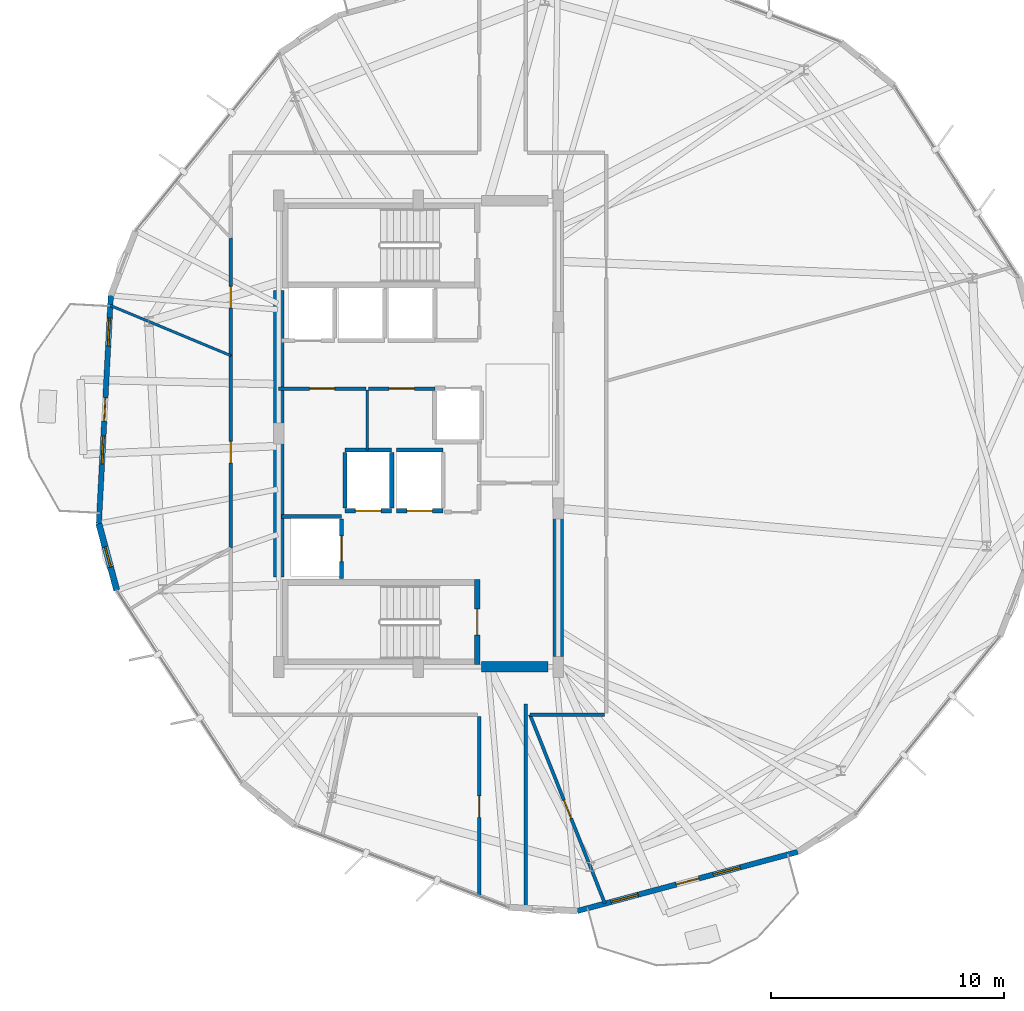
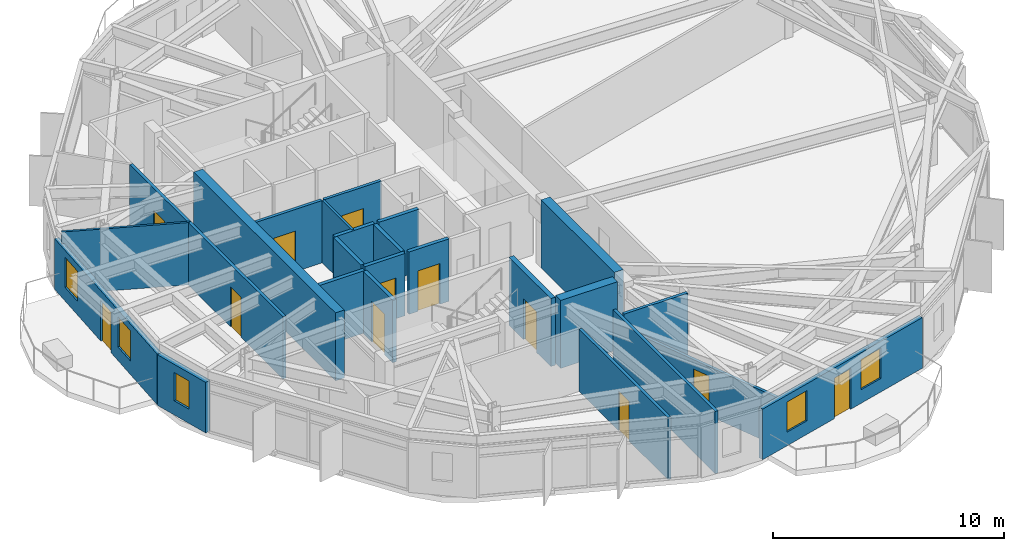
# One storey, part 24 of 29: 25 walls, 12 doors, 5 windows, 17 openings.
"""IFC4 building model written with IfcOpenShell, lengths in metres."""

from ifc_helpers import new_model, si_unit, direction, frame, frame_2d, origin, place, context, subcontext, project, spatial, rectangle, extrude, material, layer, layer_set, type_object, element, fill, save


model = new_model("IFC4")

# Units and contexts
model_context = context("Model", 3, precision=1e-05, world=origin(), true_north=direction((0.0, 1.0)))
body_context = subcontext(model_context, "Body", "Model", "MODEL_VIEW")
ifc_project = project(units=[si_unit("LENGTHUNIT", "METRE"), si_unit("AREAUNIT", "SQUARE_METRE"), si_unit("VOLUMEUNIT", "CUBIC_METRE"), si_unit("PLANEANGLEUNIT", "RADIAN"), si_unit("MASSUNIT", "GRAM", prefix="KILO")], contexts=[model_context])

# Site, building, storey
site_placement = place(None, origin())
site = spatial("IfcSite", under=ifc_project, at=site_placement, CompositionType="ELEMENT")
building_placement = place(site_placement, origin())
building = spatial("IfcBuilding", under=site, at=building_placement, Name="Soratama Intermodal Tower", CompositionType="ELEMENT")
storey_placement = place(building_placement, frame((0.0, 0.0, 219.39990234375)))
storey = spatial("IfcBuildingStorey", under=building, at=storey_placement, Name="L55", CompositionType="ELEMENT", Elevation=219.39990234375)

# Wall, openings, door, windows
ifc_material_1 = material(Name="Concrete f'c 42 MPa", Category="concrete")
ifc_layer_1 = layer(ifc_material_1, 0.22998046875)
ifc_layer_set_1 = layer_set([ifc_layer_1], Name="Concrete f'c 42 MPa")
wall_type_1 = type_object("IfcWallType", Name="EW-BAL-230", PredefinedType="SOLIDWALL", material=ifc_layer_set_1)
wall_1_placement = place(storey_placement, frame((25.406494140625, 30.932373046875, 0.0), z_axis=(0.0, 0.0, 1.0), x_axis=(-0.052328646258, -0.998629917828, 0.0)))
wall_1 = element("IfcWall", 1, at=wall_1_placement, inside=storey, type_object=wall_type_1, Name="L55 Terrace Wall F04", PredefinedType="SOLIDWALL", context=body_context, shape_type="SweptSolid", body=[
    extrude(rectangle(XDim=9.797607421875, YDim=0.22998046875, at=frame_2d((4.89892578125, 0.0))), origin(), (0.0, 0.0, 1.0), 2.67919921875),
])
opening_1_placement = place(wall_1_placement, frame((4.398681640625, 0.0, 0.0)))
opening_1 = element("IfcOpeningElement", 2, at=opening_1_placement, cuts=wall_1, Name="Opening ED-2", PredefinedType="OPENING", context=body_context, shape_type="SweptSolid", body=[
    extrude(rectangle(XDim=1.0, YDim=2.14990234375, at=frame_2d((0.5, 1.074951171875))), frame((0.0, 0.125, 0.0), z_axis=(0.0, -1.0, 0.0), x_axis=(1.0, 0.0, 0.0)), (0.0, 0.0, 1.0), 0.25),
])
opening_2_placement = place(wall_1_placement, frame((0.9697265625, 0.0, 0.719970703125)))
opening_2 = element("IfcOpeningElement", 3, at=opening_2_placement, cuts=wall_1, Name="Opening WN-2", PredefinedType="OPENING", context=body_context, shape_type="SweptSolid", body=[
    extrude(rectangle(XDim=1.199951171875, YDim=1.60009765625, at=frame_2d((0.60009765625, 0.800048828125))), frame((0.0, 0.125, 0.0), z_axis=(0.0, -1.0, 0.0), x_axis=(1.0, 0.0, 0.0)), (0.0, 0.0, 1.0), 0.25),
])
opening_3_placement = place(wall_1_placement, frame((6.038818359375, 0.0, 0.719970703125)))
opening_3 = element("IfcOpeningElement", 4, at=opening_3_placement, cuts=wall_1, Name="Opening WN-2", PredefinedType="OPENING", context=body_context, shape_type="SweptSolid", body=[
    extrude(rectangle(XDim=1.199951171875, YDim=1.60009765625, at=frame_2d((0.60009765625, 0.800048828125))), frame((0.0, 0.125, 0.0), z_axis=(0.0, -1.0, 0.0), x_axis=(1.0, 0.0, 0.0)), (0.0, 0.0, 1.0), 0.25),
])
ifc_material_2 = material(Name="Double-glazed aluminium door", Category="aluminium")
door_type_1 = type_object("IfcDoorType", Name="DR-BAL-1000", OperationType="NOTDEFINED", PredefinedType="DOOR", material=ifc_material_2)
door_1_placement = place(opening_1_placement, origin())
door_1 = element("IfcDoor", 5, at=door_1_placement, inside=storey, type_object=door_type_1, Name="L55 Balcony Door F04", OperationType="SINGLE_SWING_RIGHT", OverallHeight=2.14990234375, OverallWidth=1.0, PredefinedType="DOOR", context=body_context, shape_type="SweptSolid", body=[
    extrude(rectangle(XDim=1.0, YDim=2.14990234375, at=frame_2d((0.5, 1.074951171875))), frame((0.0, 0.02490234375, 0.0), z_axis=(0.0, -1.0, 0.0), x_axis=(1.0, 0.0, 0.0)), (0.0, 0.0, 1.0), 0.050048828125),
])
fill(opening_1, door_1)
ifc_material_3 = material(Name="Double-glazed aluminium window", Category="aluminium")
window_type_1 = type_object("IfcWindowType", Name="WN-FAC-1200", PartitioningType="SINGLE_PANEL", PredefinedType="WINDOW", material=ifc_material_3)
window_1_placement = place(opening_2_placement, origin())
window_1 = element("IfcWindow", 6, at=window_1_placement, inside=storey, type_object=window_type_1, Name="L55 Window A F04", OverallHeight=1.60009765625, OverallWidth=1.199951171875, PartitioningType="SINGLE_PANEL", PredefinedType="WINDOW", context=body_context, shape_type="SweptSolid", body=[
    extrude(rectangle(XDim=1.199951171875, YDim=1.60009765625, at=frame_2d((0.60009765625, 0.800048828125))), frame((0.0, 0.030029296875, 0.0), z_axis=(0.0, -1.0, 0.0), x_axis=(1.0, 0.0, 0.0)), (0.0, 0.0, 1.0), 0.06005859375),
])
fill(opening_2, window_1)
window_2_placement = place(opening_3_placement, origin())
window_2 = element("IfcWindow", 7, at=window_2_placement, inside=storey, type_object=window_type_1, Name="L55 Window B F04", OverallHeight=1.60009765625, OverallWidth=1.199951171875, PartitioningType="SINGLE_PANEL", PredefinedType="WINDOW", context=body_context, shape_type="SweptSolid", body=[
    extrude(rectangle(XDim=1.199951171875, YDim=1.60009765625, at=frame_2d((0.60009765625, 0.800048828125))), frame((0.0, 0.030029296875, 0.0), z_axis=(0.0, -1.0, 0.0), x_axis=(1.0, 0.0, 0.0)), (0.0, 0.0, 1.0), 0.06005859375),
])
fill(opening_3, window_2)

wall_2_placement = place(storey_placement, frame((45.41259765625, 4.5322265625, 0.0), z_axis=(0.0, 0.0, 1.0), x_axis=(0.965924471327, 0.258824101839, 0.0)))
wall_2 = element("IfcWall", 8, at=wall_2_placement, inside=storey, type_object=wall_type_1, Name="L55 Terrace Wall F07", PredefinedType="SOLIDWALL", context=body_context, shape_type="SweptSolid", body=[
    extrude(rectangle(XDim=9.7978515625, YDim=0.22998046875, at=frame_2d((4.89892578125, 0.0))), origin(), (0.0, 0.0, 1.0), 2.67919921875),
])
opening_4_placement = place(wall_2_placement, frame((4.398681640625, 0.0, 0.0)))
opening_4 = element("IfcOpeningElement", 9, at=opening_4_placement, cuts=wall_2, Name="Opening ED-2", PredefinedType="OPENING", context=body_context, shape_type="SweptSolid", body=[
    extrude(rectangle(XDim=1.0, YDim=2.14990234375, at=frame_2d((0.5, 1.074951171875))), frame((0.0, 0.125, 0.0), z_axis=(0.0, -1.0, 0.0), x_axis=(1.0, 0.0, 0.0)), (0.0, 0.0, 1.0), 0.25),
])
opening_5_placement = place(wall_2_placement, frame((1.49951171875, 0.0, 0.719970703125)))
opening_5 = element("IfcOpeningElement", 10, at=opening_5_placement, cuts=wall_2, Name="Opening WN-2", PredefinedType="OPENING", context=body_context, shape_type="SweptSolid", body=[
    extrude(rectangle(XDim=1.199951171875, YDim=1.60009765625, at=frame_2d((0.60009765625, 0.800048828125))), frame((0.0, 0.125, 0.0), z_axis=(0.0, -1.0, 0.0), x_axis=(1.0, 0.0, 0.0)), (0.0, 0.0, 1.0), 0.25),
])
opening_6_placement = place(wall_2_placement, frame((6.038818359375, 0.0, 0.719970703125)))
opening_6 = element("IfcOpeningElement", 11, at=opening_6_placement, cuts=wall_2, Name="Opening WN-2", PredefinedType="OPENING", context=body_context, shape_type="SweptSolid", body=[
    extrude(rectangle(XDim=1.199951171875, YDim=1.60009765625, at=frame_2d((0.60009765625, 0.800048828125))), frame((0.0, 0.125, 0.0), z_axis=(0.0, -1.0, 0.0), x_axis=(1.0, 0.0, 0.0)), (0.0, 0.0, 1.0), 0.25),
])
door_2_placement = place(opening_4_placement, origin())
door_2 = element("IfcDoor", 12, at=door_2_placement, inside=storey, type_object=door_type_1, Name="L55 Balcony Door F07", OperationType="SINGLE_SWING_LEFT", OverallHeight=2.14990234375, OverallWidth=1.0, PredefinedType="DOOR", context=body_context, shape_type="SweptSolid", body=[
    extrude(rectangle(XDim=1.0, YDim=2.14990234375, at=frame_2d((0.5, 1.074951171875))), frame((0.0, 0.02490234375, 0.0), z_axis=(0.0, -1.0, 0.0), x_axis=(1.0, 0.0, 0.0)), (0.0, 0.0, 1.0), 0.050048828125),
])
fill(opening_4, door_2)
window_3_placement = place(opening_5_placement, origin())
window_3 = element("IfcWindow", 13, at=window_3_placement, inside=storey, type_object=window_type_1, Name="L55 Window A F07", OverallHeight=1.60009765625, OverallWidth=1.199951171875, PartitioningType="SINGLE_PANEL", PredefinedType="WINDOW", context=body_context, shape_type="SweptSolid", body=[
    extrude(rectangle(XDim=1.199951171875, YDim=1.60009765625, at=frame_2d((0.60009765625, 0.800048828125))), frame((0.0, 0.030029296875, 0.0), z_axis=(0.0, -1.0, 0.0), x_axis=(1.0, 0.0, 0.0)), (0.0, 0.0, 1.0), 0.06005859375),
])
fill(opening_5, window_3)
window_4_placement = place(opening_6_placement, origin())
window_4 = element("IfcWindow", 14, at=window_4_placement, inside=storey, type_object=window_type_1, Name="L55 Window B F07", OverallHeight=1.60009765625, OverallWidth=1.199951171875, PartitioningType="SINGLE_PANEL", PredefinedType="WINDOW", context=body_context, shape_type="SweptSolid", body=[
    extrude(rectangle(XDim=1.199951171875, YDim=1.60009765625, at=frame_2d((0.60009765625, 0.800048828125))), frame((0.0, 0.030029296875, 0.0), z_axis=(0.0, -1.0, 0.0), x_axis=(1.0, 0.0, 0.0)), (0.0, 0.0, 1.0), 0.06005859375),
])
fill(opening_6, window_4)

# Wall, opening, window
ifc_material_4 = material(Name="Concrete f'c 42 MPa", Category="concrete")
ifc_layer_2 = layer(ifc_material_4, 0.27001953125)
ifc_layer_set_2 = layer_set([ifc_layer_2], Name="Concrete f'c 42 MPa")
wall_type_2 = type_object("IfcWallType", Name="EW-CRN-270", PredefinedType="SOLIDWALL", material=ifc_layer_set_2)
wall_3_placement = place(storey_placement, frame((24.893798828125, 21.148193359375, 0.0), z_axis=(0.0, 0.0, 1.0), x_axis=(0.258825213075, -0.965924173565, 0.0)))
wall_3 = element("IfcWall", 15, at=wall_3_placement, inside=storey, type_object=wall_type_2, Name="L55 Corner Closure Wall 04", PredefinedType="SOLIDWALL", context=body_context, shape_type="SweptSolid", body=[
    extrude(rectangle(XDim=2.966552734375, YDim=0.27001953125, at=frame_2d((1.4833984375, 0.0))), origin(), (0.0, 0.0, 1.0), 2.67919921875),
])
opening_7_placement = place(wall_3_placement, frame((1.033203125, 0.0, 0.75)))
opening_7 = element("IfcOpeningElement", 16, at=opening_7_placement, cuts=wall_3, Name="Opening WN-6", PredefinedType="OPENING", context=body_context, shape_type="SweptSolid", body=[
    extrude(rectangle(XDim=0.89990234375, YDim=1.5, at=frame_2d((0.449951171875, 0.75))), frame((0.0, 0.14501953125, 0.0), z_axis=(0.0, -1.0, 0.0), x_axis=(1.0, 0.0, 0.0)), (0.0, 0.0, 1.0), 0.2900390625),
])
ifc_material_5 = material(Name="Double-glazed aluminium window", Category="aluminium")
window_type_2 = type_object("IfcWindowType", Name="WN-FAC-900", PartitioningType="SINGLE_PANEL", PredefinedType="WINDOW", material=ifc_material_5)
window_5_placement = place(opening_7_placement, origin())
window_5 = element("IfcWindow", 17, at=window_5_placement, inside=storey, type_object=window_type_2, Name="L55 Corner Window 04", OverallHeight=1.5, OverallWidth=0.89990234375, PartitioningType="SINGLE_PANEL", PredefinedType="WINDOW", context=body_context, shape_type="SweptSolid", body=[
    extrude(rectangle(XDim=0.89990234375, YDim=1.5, at=frame_2d((0.449951171875, 0.75))), frame((0.0, 0.030029296875, 0.0), z_axis=(0.0, -1.0, 0.0), x_axis=(1.0, 0.0, 0.0)), (0.0, 0.0, 1.0), 0.06005859375),
])
fill(opening_7, window_5)

# Wall, opening, door
ifc_material_6 = material(Name="Fire-rated gypsum stud partition", Category="concrete")
ifc_layer_3 = layer(ifc_material_6, 0.14990234375)
ifc_layer_set_3 = layer_set([ifc_layer_3], Name="Fire-rated gypsum stud partition")
wall_type_3 = type_object("IfcWallType", Name="IW-PART-R150", PredefinedType="PARTITIONING", material=ifc_layer_set_3)
wall_4_placement = place(storey_placement, frame((30.550048828125, 20.10595703125, 0.0), z_axis=(0.0, 0.0, 1.0), x_axis=(0.0, 1.0, 0.0)))
wall_4 = element("IfcWall", 18, at=wall_4_placement, inside=storey, type_object=wall_type_3, Name="L55 Partition W-L55-TP005", PredefinedType="PARTITIONING", context=body_context, shape_type="SweptSolid", body=[
    extrude(rectangle(XDim=8.2451171875, YDim=0.14990234375, at=frame_2d((4.12255859375, 0.0))), origin(), (0.0, 0.0, 1.0), 3.300048828125),
])
opening_8_placement = place(wall_4_placement, frame((3.64697265625, 0.0, 0.0)))
opening_8 = element("IfcOpeningElement", 19, at=opening_8_placement, cuts=wall_4, Name="Opening ID-6", PredefinedType="OPENING", context=body_context, shape_type="SweptSolid", body=[
    extrude(rectangle(XDim=0.919921875, YDim=2.1201171875, at=frame_2d((0.4599609375, 1.06005859375))), frame((0.0, 0.0849609375, 0.0), z_axis=(0.0, -1.0, 0.0), x_axis=(1.0, 0.0, 0.0)), (0.0, 0.0, 1.0), 0.169921875),
])
ifc_material_7 = material(Name="Solid hardwood acoustic door", Category="wood")
door_type_2 = type_object("IfcDoorType", Name="DR-ROOM-920", OperationType="NOTDEFINED", PredefinedType="DOOR", material=ifc_material_7)
door_3_placement = place(opening_8_placement, origin())
door_3 = element("IfcDoor", 20, at=door_3_placement, inside=storey, type_object=door_type_2, Name="L55 Door D-L55-TP003", OperationType="SINGLE_SWING_RIGHT", OverallHeight=2.1201171875, OverallWidth=0.919921875, PredefinedType="DOOR", context=body_context, shape_type="SweptSolid", body=[
    extrude(rectangle(XDim=0.919921875, YDim=2.1201171875, at=frame_2d((0.4599609375, 1.06005859375))), frame((0.0, 0.02490234375, 0.0), z_axis=(0.0, -1.0, 0.0), x_axis=(1.0, 0.0, 0.0)), (0.0, 0.0, 1.0), 0.050048828125),
])
fill(opening_8, door_3)

wall_5_placement = place(storey_placement, frame((41.199951171875, 5.1669921875, 0.0), z_axis=(0.0, 0.0, 1.0), x_axis=(0.0, 1.0, 0.0)))
wall_5 = element("IfcWall", 21, at=wall_5_placement, inside=storey, type_object=wall_type_3, Name="L55 Partition W-L55-TP007", PredefinedType="PARTITIONING", context=body_context, shape_type="SweptSolid", body=[
    extrude(rectangle(XDim=7.712890625, YDim=0.14990234375, at=frame_2d((3.8564453125, 0.0))), origin(), (0.0, 0.0, 1.0), 3.300048828125),
])
opening_9_placement = place(wall_5_placement, frame((3.382080078125, 0.0, 0.0)))
opening_9 = element("IfcOpeningElement", 22, at=opening_9_placement, cuts=wall_5, Name="Opening ID-6", PredefinedType="OPENING", context=body_context, shape_type="SweptSolid", body=[
    extrude(rectangle(XDim=0.919921875, YDim=2.1201171875, at=frame_2d((0.4599609375, 1.06005859375))), frame((0.0, 0.0849609375, 0.0), z_axis=(0.0, -1.0, 0.0), x_axis=(1.0, 0.0, 0.0)), (0.0, 0.0, 1.0), 0.169921875),
])
door_4_placement = place(opening_9_placement, origin())
door_4 = element("IfcDoor", 23, at=door_4_placement, inside=storey, type_object=door_type_2, Name="L55 Door D-L55-TP004", OperationType="SINGLE_SWING_LEFT", OverallHeight=2.1201171875, OverallWidth=0.919921875, PredefinedType="DOOR", context=body_context, shape_type="SweptSolid", body=[
    extrude(rectangle(XDim=0.919921875, YDim=2.1201171875, at=frame_2d((0.4599609375, 1.06005859375))), frame((0.0, 0.02490234375, 0.0), z_axis=(0.0, -1.0, 0.0), x_axis=(1.0, 0.0, 0.0)), (0.0, 0.0, 1.0), 0.050048828125),
])
fill(opening_9, door_4)

wall_6_placement = place(storey_placement, frame((30.550048828125, 28.35107421875, 0.0), z_axis=(0.0, 0.0, 1.0), x_axis=(0.0, 1.0, 0.0)))
wall_6 = element("IfcWall", 24, at=wall_6_placement, inside=storey, type_object=wall_type_3, Name="L55 Partition W-L55-TP017", PredefinedType="PARTITIONING", context=body_context, shape_type="SweptSolid", body=[
    extrude(rectangle(XDim=5.0498046875, YDim=0.14990234375, at=frame_2d((2.52490234375, 0.0))), origin(), (0.0, 0.0, 1.0), 3.300048828125),
])
opening_10_placement = place(wall_6_placement, frame((2.050048828125, 0.0, 0.0)))
opening_10 = element("IfcOpeningElement", 25, at=opening_10_placement, cuts=wall_6, Name="Opening ID-6", PredefinedType="OPENING", context=body_context, shape_type="SweptSolid", body=[
    extrude(rectangle(XDim=0.919921875, YDim=2.1201171875, at=frame_2d((0.4599609375, 1.06005859375))), frame((0.0, 0.0849609375, 0.0), z_axis=(0.0, -1.0, 0.0), x_axis=(1.0, 0.0, 0.0)), (0.0, 0.0, 1.0), 0.169921875),
])
door_5_placement = place(opening_10_placement, origin())
door_5 = element("IfcDoor", 26, at=door_5_placement, inside=storey, type_object=door_type_2, Name="L55 Door D-L55-TP008", OperationType="SINGLE_SWING_LEFT", OverallHeight=2.1201171875, OverallWidth=0.919921875, PredefinedType="DOOR", context=body_context, shape_type="SweptSolid", body=[
    extrude(rectangle(XDim=0.919921875, YDim=2.1201171875, at=frame_2d((0.4599609375, 1.06005859375))), frame((0.0, 0.02490234375, 0.0), z_axis=(0.0, -1.0, 0.0), x_axis=(1.0, 0.0, 0.0)), (0.0, 0.0, 1.0), 0.050048828125),
])
fill(opening_10, door_5)

wall_7_placement = place(storey_placement, frame((36.340087890625, 26.93994140625, 0.0), z_axis=(0.0, 0.0, 1.0), x_axis=(-1.0, 0.0, 0.0)))
wall_7 = element("IfcWall", 27, at=wall_7_placement, inside=storey, type_object=wall_type_3, Name="L55 Partition W-L55-TP019", PredefinedType="PARTITIONING", context=body_context, shape_type="SweptSolid", body=[
    extrude(rectangle(XDim=3.739990234375, YDim=0.14990234375, at=frame_2d((1.8701171875, 0.0))), origin(), (0.0, 0.0, 1.0), 3.300048828125),
])
opening_11_placement = place(wall_7_placement, frame((1.330078125, 0.0, 0.0)))
opening_11 = element("IfcOpeningElement", 28, at=opening_11_placement, cuts=wall_7, Name="Opening ID-1", PredefinedType="OPENING", context=body_context, shape_type="SweptSolid", body=[
    extrude(rectangle(XDim=1.080078125, YDim=2.14990234375, at=frame_2d((0.5400390625, 1.074951171875))), frame((0.0, 0.0849609375, 0.0), z_axis=(0.0, -1.0, 0.0), x_axis=(1.0, 0.0, 0.0)), (0.0, 0.0, 1.0), 0.169921875),
])
ifc_material_8 = material(Name="Solid hardwood acoustic door", Category="wood")
door_type_3 = type_object("IfcDoorType", Name="DR-LOB-FD60", OperationType="NOTDEFINED", PredefinedType="DOOR", material=ifc_material_8)
door_6_placement = place(opening_11_placement, origin())
door_6 = element("IfcDoor", 29, at=door_6_placement, inside=storey, type_object=door_type_3, Name="L55 Door D-L55-TP009", OperationType="SINGLE_SWING_RIGHT", OverallHeight=2.14990234375, OverallWidth=1.080078125, PredefinedType="DOOR", context=body_context, shape_type="SweptSolid", body=[
    extrude(rectangle(XDim=1.080078125, YDim=2.14990234375, at=frame_2d((0.5400390625, 1.074951171875))), frame((0.0, 0.02490234375, 0.0), z_axis=(0.0, -1.0, 0.0), x_axis=(1.0, 0.0, 0.0)), (0.0, 0.0, 1.0), 0.050048828125),
])
fill(opening_11, door_6)

# Wall
wall_8_placement = place(storey_placement, frame((46.580078125, 12.949951171875, 0.0), z_axis=(0.0, 0.0, 1.0), x_axis=(-1.0, 0.0, 0.0)))
element("IfcWall", 30, at=wall_8_placement, inside=storey, type_object=wall_type_3, Name="L55 Partition W-L55-TP025", PredefinedType="PARTITIONING", context=body_context, shape_type="SweptSolid", body=[
    extrude(rectangle(XDim=3.197021484375, YDim=0.14990234375, at=frame_2d((1.5986328125, 0.0))), origin(), (0.0, 0.0, 1.0), 3.300048828125),
])

# Wall, opening, door
wall_9_placement = place(storey_placement, frame((39.300048828125, 26.93994140625, 0.0), z_axis=(0.0, 0.0, 1.0), x_axis=(-1.0, 0.0, 0.0)))
wall_9 = element("IfcWall", 31, at=wall_9_placement, inside=storey, type_object=wall_type_3, Name="L55 Partition W-L55-TP026", PredefinedType="PARTITIONING", context=body_context, shape_type="SweptSolid", body=[
    extrude(rectangle(XDim=2.840087890625, YDim=0.14990234375, at=frame_2d((1.419921875, 0.0))), origin(), (0.0, 0.0, 1.0), 3.300048828125),
])
opening_12_placement = place(wall_9_placement, frame((0.8798828125, 0.0, 0.0)))
opening_12 = element("IfcOpeningElement", 32, at=opening_12_placement, cuts=wall_9, Name="Opening ID-1", PredefinedType="OPENING", context=body_context, shape_type="SweptSolid", body=[
    extrude(rectangle(XDim=1.080078125, YDim=2.14990234375, at=frame_2d((0.5400390625, 1.074951171875))), frame((0.0, 0.0849609375, 0.0), z_axis=(0.0, -1.0, 0.0), x_axis=(1.0, 0.0, 0.0)), (0.0, 0.0, 1.0), 0.169921875),
])
door_7_placement = place(opening_12_placement, origin())
door_7 = element("IfcDoor", 33, at=door_7_placement, inside=storey, type_object=door_type_3, Name="L55 Door D-L55-TP012", OperationType="SINGLE_SWING_LEFT", OverallHeight=2.14990234375, OverallWidth=1.080078125, PredefinedType="DOOR", context=body_context, shape_type="SweptSolid", body=[
    extrude(rectangle(XDim=1.080078125, YDim=2.14990234375, at=frame_2d((0.5400390625, 1.074951171875))), frame((0.0, 0.02490234375, 0.0), z_axis=(0.0, -1.0, 0.0), x_axis=(1.0, 0.0, 0.0)), (0.0, 0.0, 1.0), 0.050048828125),
])
fill(opening_12, door_7)

# Walls
wall_10_placement = place(storey_placement, frame((43.199951171875, 13.410888671875, 0.0), z_axis=(0.0, 0.0, 1.0), x_axis=(0.0, -1.0, 0.0)))
element("IfcWall", 34, at=wall_10_placement, inside=storey, type_object=wall_type_3, Name="L55 Partition W-L55-TP033", PredefinedType="PARTITIONING", context=body_context, shape_type="SweptSolid", body=[
    extrude(rectangle(XDim=8.8828125, YDim=0.14990234375, at=frame_2d((4.44140625, 0.0))), origin(), (0.0, 0.0, 1.0), 3.300048828125),
])
ifc_material_9 = material(Name="Fire-rated gypsum stud partition", Category="concrete")
ifc_layer_4 = layer(ifc_material_9, 0.110107421875)
ifc_layer_set_4 = layer_set([ifc_layer_4], Name="Fire-rated gypsum stud partition")
wall_type_4 = type_object("IfcWallType", Name="IW-PART-S110", PredefinedType="PARTITIONING", material=ifc_layer_set_4)
wall_11_placement = place(storey_placement, frame((30.550048828125, 28.35107421875, 0.0), z_axis=(0.0, 0.0, 1.0), x_axis=(-0.923242069528, 0.384218793207, 0.0)))
element("IfcWall", 35, at=wall_11_placement, inside=storey, type_object=wall_type_4, Name="L55 Partition W-L55-TP012", PredefinedType="PARTITIONING", context=body_context, shape_type="SweptSolid", body=[
    extrude(rectangle(XDim=5.595458984375, YDim=0.110107421875, at=frame_2d((2.7978515625, 0.0))), origin(), (0.0, 0.0, 1.0), 3.300048828125),
])
wall_12_placement = place(storey_placement, frame((36.39990234375, 26.8798828125, 0.0), z_axis=(0.0, 0.0, 1.0), x_axis=(0.0, -1.0, 0.0)))
element("IfcWall", 36, at=wall_12_placement, inside=storey, type_object=wall_type_4, Name="L55 Partition W-L55-TP027", PredefinedType="PARTITIONING", context=body_context, shape_type="SweptSolid", body=[
    extrude(rectangle(XDim=2.579833984375, YDim=0.110107421875, at=frame_2d((1.2900390625, 0.0))), origin(), (0.0, 0.0, 1.0), 3.300048828125),
])

# Wall, opening, door
ifc_material_10 = material(Name="Fire-rated gypsum stud partition", Category="concrete")
ifc_layer_5 = layer(ifc_material_10, 0.139892578125)
ifc_layer_set_5 = layer_set([ifc_layer_5], Name="Fire-rated gypsum stud partition")
wall_type_5 = type_object("IfcWallType", Name="IW-PART-S140", PredefinedType="PARTITIONING", material=ifc_layer_set_5)
wall_13_placement = place(storey_placement, frame((43.383056640625, 12.949951171875, 0.0), z_axis=(0.0, 0.0, 1.0), x_axis=(0.369027609924, -0.929418432738, 0.0)))
wall_13 = element("IfcWall", 37, at=wall_13_placement, inside=storey, type_object=wall_type_5, Name="L55 Partition W-L55-TP004", PredefinedType="PARTITIONING", context=body_context, shape_type="SweptSolid", body=[
    extrude(rectangle(XDim=8.715087890625, YDim=0.139892578125, at=frame_2d((4.357421875, 0.0))), origin(), (0.0, 0.0, 1.0), 2.59521484375),
])
opening_13_placement = place(wall_13_placement, frame((3.93310546875, 0.0, 0.0)))
opening_13 = element("IfcOpeningElement", 38, at=opening_13_placement, cuts=wall_13, Name="Opening ID-4", PredefinedType="OPENING", context=body_context, shape_type="SweptSolid", body=[
    extrude(rectangle(XDim=0.85009765625, YDim=2.10009765625, at=frame_2d((0.425048828125, 1.050048828125))), frame((0.0, 0.079833984375, 0.0), z_axis=(0.0, -1.0, 0.0), x_axis=(1.0, 0.0, 0.0)), (0.0, 0.0, 1.0), 0.159912109375),
])
ifc_material_11 = material(Name="Solid hardwood acoustic door", Category="wood")
door_type_4 = type_object("IfcDoorType", Name="DR-BATH-850", OperationType="NOTDEFINED", PredefinedType="DOOR", material=ifc_material_11)
door_8_placement = place(opening_13_placement, origin())
door_8 = element("IfcDoor", 39, at=door_8_placement, inside=storey, type_object=door_type_4, Name="L55 Door D-L55-TP015", OperationType="SINGLE_SWING_LEFT", OverallHeight=2.10009765625, OverallWidth=0.85009765625, PredefinedType="DOOR", context=body_context, shape_type="SweptSolid", body=[
    extrude(rectangle(XDim=0.85009765625, YDim=2.10009765625, at=frame_2d((0.425048828125, 1.050048828125))), frame((0.0, 0.02490234375, 0.0), z_axis=(0.0, -1.0, 0.0), x_axis=(1.0, 0.0, 0.0)), (0.0, 0.0, 1.0), 0.050048828125),
])
fill(opening_13, door_8)

ifc_material_12 = material(Name="Concrete f'c 42 MPa", Category="concrete")
ifc_layer_6 = layer(ifc_material_12, 0.18505859375)
ifc_layer_set_6 = layer_set([ifc_layer_6], Name="Concrete f'c 42 MPa")
wall_type_6 = type_object("IfcWallType", Name="IW-SHAFT-185", PredefinedType="SOLIDWALL", material=ifc_layer_set_6)
wall_14_placement = place(storey_placement, frame((35.449951171875, 21.699951171875, 0.0), z_axis=(0.0, 0.0, 1.0), x_axis=(1.0, 0.0, 0.0)))
wall_14 = element("IfcWall", 40, at=wall_14_placement, inside=storey, type_object=wall_type_6, Name="L55 FFL-1 Hoistway Wall S", PredefinedType="SOLIDWALL", context=body_context, shape_type="SweptSolid", body=[
    extrude(rectangle(XDim=2.0, YDim=0.18505859375, at=frame_2d((1.0, 0.0))), origin(), (0.0, 0.0, 1.0), 3.300048828125),
])
opening_14_placement = place(wall_14_placement, frame((0.449951171875, 0.0, 0.0)))
opening_14 = element("IfcOpeningElement", 41, at=opening_14_placement, cuts=wall_14, Name="Opening LD-1", PredefinedType="OPENING", context=body_context, shape_type="SweptSolid", body=[
    extrude(rectangle(XDim=1.10009765625, YDim=2.14990234375, at=frame_2d((0.550048828125, 1.074951171875))), frame((0.0, 0.1025390625, 0.0), z_axis=(0.0, -1.0, 0.0), x_axis=(1.0, 0.0, 0.0)), (0.0, 0.0, 1.0), 0.205078125),
])
ifc_material_13 = material(Name="Steel fire door", Category="steel")
door_type_5 = type_object("IfcDoorType", Name="DR-LIFT-SLIDE", OperationType="NOTDEFINED", PredefinedType="DOOR", material=ifc_material_13)
door_9_placement = place(opening_14_placement, origin())
door_9 = element("IfcDoor", 42, at=door_9_placement, inside=storey, type_object=door_type_5, Name="L55 FFL-1 Sliding Landing Door", OperationType="SLIDING_TO_LEFT", OverallHeight=2.14990234375, OverallWidth=1.10009765625, PredefinedType="DOOR", context=body_context, shape_type="SweptSolid", body=[
    extrude(rectangle(XDim=1.10009765625, YDim=2.14990234375, at=frame_2d((0.550048828125, 1.074951171875))), frame((0.0, 0.02490234375, 0.0), z_axis=(0.0, -1.0, 0.0), x_axis=(1.0, 0.0, 0.0)), (0.0, 0.0, 1.0), 0.050048828125),
])
fill(opening_14, door_9)

# Walls
wall_15_placement = place(storey_placement, frame((35.449951171875, 24.300048828125, 0.0), z_axis=(0.0, 0.0, 1.0), x_axis=(1.0, 0.0, 0.0)))
element("IfcWall", 43, at=wall_15_placement, inside=storey, type_object=wall_type_6, Name="L55 FFL-1 Hoistway Wall N", PredefinedType="SOLIDWALL", context=body_context, shape_type="SweptSolid", body=[
    extrude(rectangle(XDim=2.0, YDim=0.18505859375, at=frame_2d((1.0, 0.0))), origin(), (0.0, 0.0, 1.0), 3.300048828125),
])
for number, where, z_axis, x_axis, name in (
    (44, (35.449951171875, 21.81005859375, 0.0), (0.0, 0.0, 1.0), (0.0, 1.0, 0.0), "L55 FFL-1 Hoistway Wall W"),
    (45, (37.449951171875, 21.81005859375, 0.0), (0.0, 0.0, 1.0), (0.0, 1.0, 0.0), "L55 FFL-1 Hoistway Wall E"),
):
    element("IfcWall", number, at=place(storey_placement, frame(where, z_axis=z_axis, x_axis=x_axis)), inside=storey, type_object=wall_type_6, Name=name, PredefinedType="SOLIDWALL", context=body_context, shape_type="SweptSolid", body=[
        extrude(rectangle(XDim=2.3798828125, YDim=0.18505859375, at=frame_2d((1.18994140625, 0.0))), origin(), (0.0, 0.0, 1.0), 3.300048828125),
    ])

# Wall, opening, door
wall_16_placement = place(storey_placement, frame((37.64990234375, 21.699951171875, 0.0), z_axis=(0.0, 0.0, 1.0), x_axis=(1.0, 0.0, 0.0)))
wall_16 = element("IfcWall", 46, at=wall_16_placement, inside=storey, type_object=wall_type_6, Name="L55 FFL-2 Hoistway Wall S", PredefinedType="SOLIDWALL", context=body_context, shape_type="SweptSolid", body=[
    extrude(rectangle(XDim=2.0, YDim=0.18505859375, at=frame_2d((1.0, 0.0))), origin(), (0.0, 0.0, 1.0), 3.300048828125),
])
opening_15_placement = place(wall_16_placement, frame((0.449951171875, 0.0, 0.0)))
opening_15 = element("IfcOpeningElement", 47, at=opening_15_placement, cuts=wall_16, Name="Opening LD-1", PredefinedType="OPENING", context=body_context, shape_type="SweptSolid", body=[
    extrude(rectangle(XDim=1.10009765625, YDim=2.14990234375, at=frame_2d((0.550048828125, 1.074951171875))), frame((0.0, 0.1025390625, 0.0), z_axis=(0.0, -1.0, 0.0), x_axis=(1.0, 0.0, 0.0)), (0.0, 0.0, 1.0), 0.205078125),
])
door_10_placement = place(opening_15_placement, origin())
door_10 = element("IfcDoor", 48, at=door_10_placement, inside=storey, type_object=door_type_5, Name="L55 FFL-2 Sliding Landing Door", OperationType="SLIDING_TO_LEFT", OverallHeight=2.14990234375, OverallWidth=1.10009765625, PredefinedType="DOOR", context=body_context, shape_type="SweptSolid", body=[
    extrude(rectangle(XDim=1.10009765625, YDim=2.14990234375, at=frame_2d((0.550048828125, 1.074951171875))), frame((0.0, 0.02490234375, 0.0), z_axis=(0.0, -1.0, 0.0), x_axis=(1.0, 0.0, 0.0)), (0.0, 0.0, 1.0), 0.050048828125),
])
fill(opening_15, door_10)

# Walls
wall_17_placement = place(storey_placement, frame((37.64990234375, 24.300048828125, 0.0), z_axis=(0.0, 0.0, 1.0), x_axis=(1.0, 0.0, 0.0)))
element("IfcWall", 49, at=wall_17_placement, inside=storey, type_object=wall_type_6, Name="L55 FFL-2 Hoistway Wall N", PredefinedType="SOLIDWALL", context=body_context, shape_type="SweptSolid", body=[
    extrude(rectangle(XDim=2.0, YDim=0.18505859375, at=frame_2d((1.0, 0.0))), origin(), (0.0, 0.0, 1.0), 3.300048828125),
])
wall_18_placement = place(storey_placement, frame((32.719970703125, 21.449951171875, 0.0), z_axis=(0.0, 0.0, 1.0), x_axis=(1.0, 0.0, 0.0)))
element("IfcWall", 50, at=wall_18_placement, inside=storey, type_object=wall_type_6, Name="L55 SVL-1 Hoistway Wall N", PredefinedType="SOLIDWALL", context=body_context, shape_type="SweptSolid", body=[
    extrude(rectangle(XDim=2.580078125, YDim=0.18505859375, at=frame_2d((1.2900390625, 0.0))), origin(), (0.0, 0.0, 1.0), 3.300048828125),
])

# Wall, opening, door
wall_19_placement = place(storey_placement, frame((35.300048828125, 18.7900390625, 0.0), z_axis=(0.0, 0.0, 1.0), x_axis=(0.0, 1.0, 0.0)))
wall_19 = element("IfcWall", 51, at=wall_19_placement, inside=storey, type_object=wall_type_6, Name="L55 SVL-1 Hoistway Wall E", PredefinedType="SOLIDWALL", context=body_context, shape_type="SweptSolid", body=[
    extrude(rectangle(XDim=2.550048828125, YDim=0.18505859375, at=frame_2d((1.27490234375, 0.0))), origin(), (0.0, 0.0, 1.0), 3.300048828125),
])
opening_16_placement = place(wall_19_placement, frame((0.72509765625, 0.0, 0.0)))
opening_16 = element("IfcOpeningElement", 52, at=opening_16_placement, cuts=wall_19, Name="Opening LD-1", PredefinedType="OPENING", context=body_context, shape_type="SweptSolid", body=[
    extrude(rectangle(XDim=1.10009765625, YDim=2.14990234375, at=frame_2d((0.550048828125, 1.074951171875))), frame((0.0, 0.1025390625, 0.0), z_axis=(0.0, -1.0, 0.0), x_axis=(1.0, 0.0, 0.0)), (0.0, 0.0, 1.0), 0.205078125),
])
door_11_placement = place(opening_16_placement, origin())
door_11 = element("IfcDoor", 53, at=door_11_placement, inside=storey, type_object=door_type_5, Name="L55 SVL-1 Sliding Landing Door", OperationType="SLIDING_TO_LEFT", OverallHeight=2.14990234375, OverallWidth=1.10009765625, PredefinedType="DOOR", context=body_context, shape_type="SweptSolid", body=[
    extrude(rectangle(XDim=1.10009765625, YDim=2.14990234375, at=frame_2d((0.550048828125, 1.074951171875))), frame((0.0, 0.02490234375, 0.0), z_axis=(0.0, -1.0, 0.0), x_axis=(1.0, 0.0, 0.0)), (0.0, 0.0, 1.0), 0.050048828125),
])
fill(opening_16, door_11)

# Walls
ifc_material_14 = material(Name="Concrete f'c 56 MPa", Category="concrete")
ifc_layer_7 = layer(ifc_material_14, 0.449951171875)
ifc_layer_set_7 = layer_set([ifc_layer_7], Name="Concrete f'c 56 MPa")
wall_type_7 = type_object("IfcWallType", Name="SW-CORE-450", PredefinedType="SHEAR", material=ifc_layer_set_7)
wall_20_placement = place(storey_placement, frame((32.60009765625, 18.85009765625, 0.0), z_axis=(0.0, 0.0, 1.0), x_axis=(0.0, 1.0, 0.0)))
element("IfcWall", 54, at=wall_20_placement, inside=storey, type_object=wall_type_7, Name="L55 Core Shear Wall CW-WMID", PredefinedType="SHEAR", context=body_context, shape_type="SweptSolid", body=[
    extrude(rectangle(XDim=12.2998046875, YDim=0.449951171875, at=frame_2d((6.14990234375, 0.0))), origin(), (0.0, 0.0, 1.0), 3.60009765625),
])
wall_21_placement = place(storey_placement, frame((41.300048828125, 15.0, 0.0), z_axis=(0.0, 0.0, 1.0), x_axis=(1.0, 0.0, 0.0)))
element("IfcWall", 55, at=wall_21_placement, inside=storey, type_object=wall_type_7, Name="L55 Core Shear Wall CW-SE", PredefinedType="SHEAR", context=body_context, shape_type="SweptSolid", body=[
    extrude(rectangle(XDim=2.849853515625, YDim=0.449951171875, at=frame_2d((1.4248046875, 0.0))), origin(), (0.0, 0.0, 1.0), 3.60009765625),
])
wall_22_placement = place(storey_placement, frame((44.60009765625, 15.449951171875, 0.0), z_axis=(0.0, 0.0, 1.0), x_axis=(0.0, 1.0, 0.0)))
element("IfcWall", 56, at=wall_22_placement, inside=storey, type_object=wall_type_7, Name="L55 Core Shear Wall CW-ES", PredefinedType="SHEAR", context=body_context, shape_type="SweptSolid", body=[
    extrude(rectangle(XDim=6.35009765625, YDim=0.449951171875, at=frame_2d((3.175048828125, 0.0))), origin(), (0.0, 0.0, 1.0), 3.60009765625),
])

# Wall, opening, door
ifc_material_15 = material(Name="Concrete f'c 56 MPa", Category="concrete")
ifc_layer_8 = layer(ifc_material_15, 0.239990234375)
ifc_layer_set_8 = layer_set([ifc_layer_8], Name="Concrete f'c 56 MPa")
wall_type_8 = type_object("IfcWallType", Name="SW-STAIR-240", PredefinedType="SHEAR", material=ifc_layer_set_8)
wall_23_placement = place(storey_placement, frame((41.1201171875, 15.110107421875, 0.0), z_axis=(0.0, 0.0, 1.0), x_axis=(0.0, 1.0, 0.0)))
wall_23 = element("IfcWall", 57, at=wall_23_placement, inside=storey, type_object=wall_type_8, Name="L55 ST-1 Shaft Shear Wall E", PredefinedType="SHEAR", context=body_context, shape_type="SweptSolid", body=[
    extrude(rectangle(XDim=3.6298828125, YDim=0.239990234375, at=frame_2d((1.81494140625, 0.0))), origin(), (0.0, 0.0, 1.0), 3.60009765625),
])
opening_17_placement = place(wall_23_placement, frame((1.2548828125, 0.0, 0.0)))
opening_17 = element("IfcOpeningElement", 58, at=opening_17_placement, cuts=wall_23, Name="Opening SD-1", PredefinedType="OPENING", context=body_context, shape_type="SweptSolid", body=[
    extrude(rectangle(XDim=1.1201171875, YDim=2.14990234375, at=frame_2d((0.56005859375, 1.074951171875))), frame((0.0, 0.1298828125, 0.0), z_axis=(0.0, -1.0, 0.0), x_axis=(1.0, 0.0, 0.0)), (0.0, 0.0, 1.0), 0.260009765625),
])
ifc_material_16 = material(Name="Steel fire door", Category="steel")
door_type_6 = type_object("IfcDoorType", Name="DR-STAIR-FD90", OperationType="NOTDEFINED", PredefinedType="DOOR", material=ifc_material_16)
door_12_placement = place(opening_17_placement, origin())
door_12 = element("IfcDoor", 59, at=door_12_placement, inside=storey, type_object=door_type_6, Name="L55 ST-1 Exit Stair Door", OperationType="SINGLE_SWING_LEFT", OverallHeight=2.14990234375, OverallWidth=1.1201171875, PredefinedType="DOOR", context=body_context, shape_type="SweptSolid", body=[
    extrude(rectangle(XDim=1.1201171875, YDim=2.14990234375, at=frame_2d((0.56005859375, 1.074951171875))), frame((0.0, 0.02490234375, 0.0), z_axis=(0.0, -1.0, 0.0), x_axis=(1.0, 0.0, 0.0)), (0.0, 0.0, 1.0), 0.050048828125),
])
fill(opening_17, door_12)

save(model, "model.ifc")
